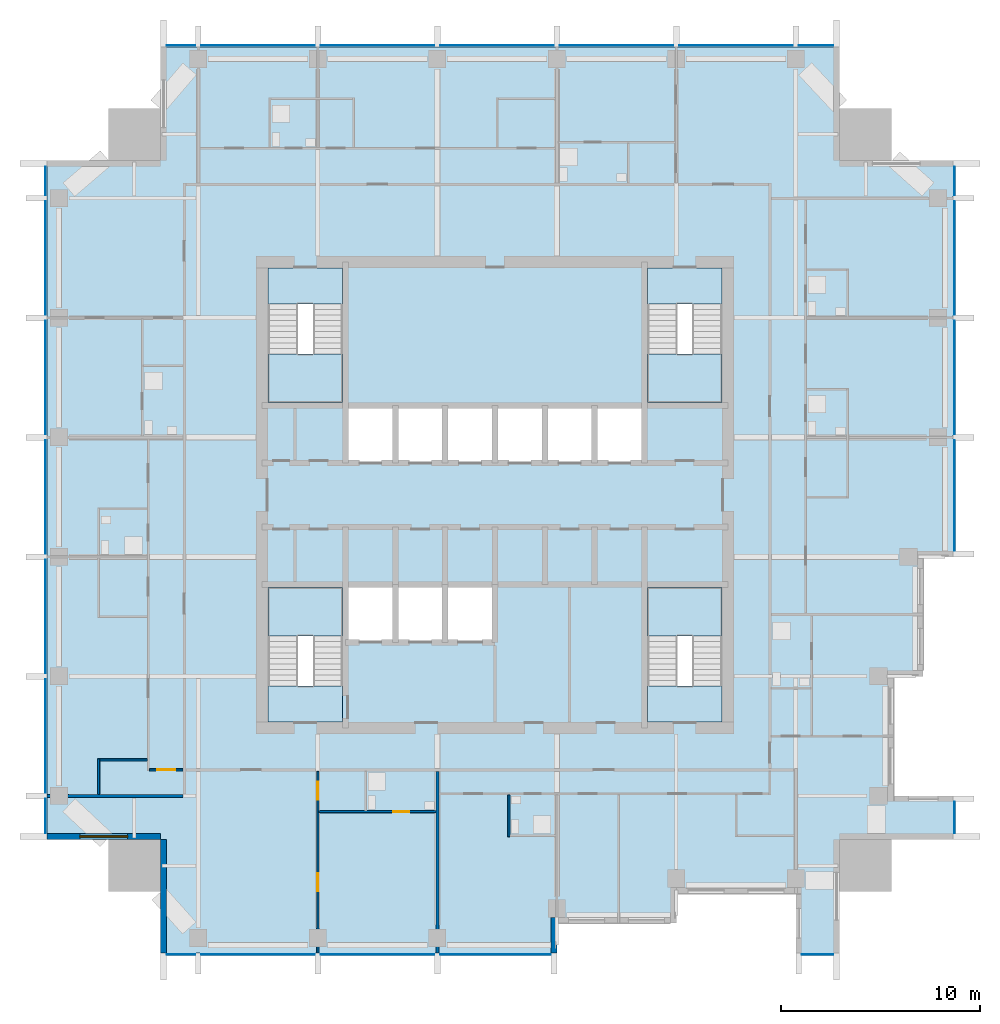
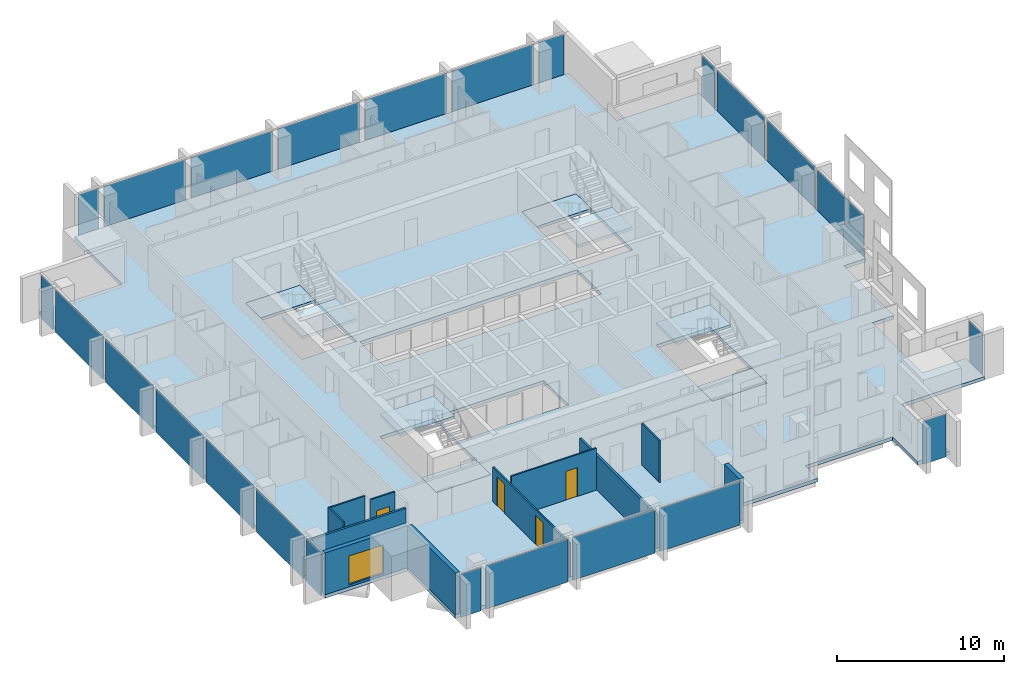
# One storey, part 3 of 12: 24 plates, 11 walls, 9 slabs, 4 doors, 1 window, 5 openings, 10 elements without a shape of their own.
"""IFC4 building model written with IfcOpenShell, lengths in metres."""

from ifc_helpers import new_model, si_unit, direction, frame, frame_2d, origin, origin_2d, place, context, subcontext, project, spatial, polyline, rectangle, outline, extrude, material, layer, layer_set, type_object, element, fill, aggregate, save


model = new_model("IFC4")

# Units and contexts
model_context = context("Model", 3, precision=1e-05, world=origin(), true_north=direction((0.0, 1.0)))
body_context = subcontext(model_context, "Body", "Model", "MODEL_VIEW")
ifc_project = project(units=[si_unit("LENGTHUNIT", "METRE"), si_unit("AREAUNIT", "SQUARE_METRE"), si_unit("VOLUMEUNIT", "CUBIC_METRE"), si_unit("PLANEANGLEUNIT", "RADIAN"), si_unit("MASSUNIT", "GRAM", prefix="KILO")], contexts=[model_context])

# Site, building, storey
site_placement = place(None, origin())
site = spatial("IfcSite", under=ifc_project, at=site_placement, CompositionType="ELEMENT")
building_placement = place(site_placement, origin())
building = spatial("IfcBuilding", under=site, at=building_placement, Name="Amberfall Residences", CompositionType="ELEMENT")
storey_placement = place(building_placement, frame((0.0, 0.0, 187.0)))
storey = spatial("IfcBuildingStorey", under=building, at=storey_placement, Name="L49", CompositionType="ELEMENT", Elevation=187.0)

# Curtain wall, plates
ifc_material_1 = material(Name="Bronze anodised aluminium and glass", Category="aluminium")
curtain_wall_type = type_object("IfcCurtainWallType", Name="Curtain wall CW1 tower unit", PredefinedType="USERDEFINED", material=ifc_material_1)
curtain_wall_1_placement = place(storey_placement, origin())
curtain_wall_1 = element("IfcCurtainWall", 1, at=curtain_wall_1_placement, inside=storey, type_object=curtain_wall_type, Name="Curtain wall L49 S S1", ObjectType="UNITISED CURTAIN WALL", PredefinedType="USERDEFINED")
ifc_material_2 = material(Name="Tinted double glazed unit", Category="glass")
ifc_layer_1 = layer(ifc_material_2, 0.035888671875)
ifc_layer_set_1 = layer_set([ifc_layer_1], Name="CW1 panel 36 glazing")
plate_type = type_object("IfcPlateType", Name="CW1 panel 36 glazing", PredefinedType="CURTAIN_PANEL", material=ifc_layer_set_1)
plate_1_placement = place(storey_placement, frame((58.72509765625, 22.425048828125, -0.25), z_axis=(0.0, 0.0, 1.0), x_axis=(1.0, 0.0, 0.0)))
plate_1 = element("IfcPlate", 2, at=plate_1_placement, type_object=plate_type, Name="CW1 panel 1.1", PredefinedType="CURTAIN_PANEL", context=body_context, shape_type="SweptSolid", body=[
    extrude(rectangle(XDim=1.426025390625, YDim=0.035888671875, at=origin_2d()), origin(), (0.0, 0.0, 1.0), 3.14990234375),
])
plate_2_placement = place(storey_placement, frame((62.60009765625, 22.425048828125, -0.25), z_axis=(0.0, 0.0, 1.0), x_axis=(1.0, 0.0, 0.0)))
plate_2 = element("IfcPlate", 3, at=plate_2_placement, type_object=plate_type, Name="CW1 panel 2.1", PredefinedType="CURTAIN_PANEL", context=body_context, shape_type="SweptSolid", body=[
    extrude(rectangle(XDim=5.676025390625, YDim=0.035888671875, at=origin_2d()), origin(), (0.0, 0.0, 1.0), 3.14990234375),
])
plate_3_placement = place(storey_placement, frame((68.60009765625, 22.425048828125, -0.25), z_axis=(0.0, 0.0, 1.0), x_axis=(1.0, 0.0, 0.0)))
plate_3 = element("IfcPlate", 4, at=plate_3_placement, type_object=plate_type, Name="CW1 panel 3.1", PredefinedType="CURTAIN_PANEL", context=body_context, shape_type="SweptSolid", body=[
    extrude(rectangle(XDim=5.676025390625, YDim=0.035888671875, at=origin_2d()), origin(), (0.0, 0.0, 1.0), 3.14990234375),
])
plate_4_placement = place(storey_placement, frame((74.52490234375, 22.425048828125, -0.25), z_axis=(0.0, 0.0, 1.0), x_axis=(1.0, 0.0, 0.0)))
plate_4 = element("IfcPlate", 5, at=plate_4_placement, type_object=plate_type, Name="CW1 panel 4.1", PredefinedType="CURTAIN_PANEL", context=body_context, shape_type="SweptSolid", body=[
    extrude(rectangle(XDim=5.52587890625, YDim=0.035888671875, at=origin_2d()), origin(), (0.0, 0.0, 1.0), 3.14990234375),
])
aggregate(curtain_wall_1, [plate_1, plate_2, plate_3, plate_4])

# Curtain wall, plate
curtain_wall_2_placement = place(storey_placement, origin())
curtain_wall_2 = element("IfcCurtainWall", 6, at=curtain_wall_2_placement, inside=storey, type_object=curtain_wall_type, Name="Curtain wall L49 S S7", ObjectType="UNITISED CURTAIN WALL", PredefinedType="USERDEFINED")
plate_5_placement = place(storey_placement, frame((90.699951171875, 22.425048828125, -0.25), z_axis=(0.0, 0.0, 1.0), x_axis=(1.0, 0.0, 0.0)))
plate_5 = element("IfcPlate", 7, at=plate_5_placement, type_object=plate_type, Name="CW1 panel 1.1", PredefinedType="CURTAIN_PANEL", context=body_context, shape_type="SweptSolid", body=[
    extrude(rectangle(XDim=1.575927734375, YDim=0.035888671875, at=origin_2d()), origin(), (0.0, 0.0, 1.0), 3.14990234375),
])
aggregate(curtain_wall_2, [plate_5])

curtain_wall_3_placement = place(storey_placement, origin())
curtain_wall_3 = element("IfcCurtainWall", 8, at=curtain_wall_3_placement, inside=storey, type_object=curtain_wall_type, Name="Curtain wall L49 E E1", ObjectType="UNITISED CURTAIN WALL", PredefinedType="USERDEFINED")
plate_6_placement = place(storey_placement, frame((97.574951171875, 29.300048828125, -0.25), z_axis=(0.0, 0.0, 1.0), x_axis=(0.0, 1.0, 0.0)))
plate_6 = element("IfcPlate", 9, at=plate_6_placement, type_object=plate_type, Name="CW1 panel 1.1", PredefinedType="CURTAIN_PANEL", context=body_context, shape_type="SweptSolid", body=[
    extrude(rectangle(XDim=1.575927734375, YDim=0.035888671875, at=origin_2d()), origin(), (0.0, 0.0, 1.0), 3.14990234375),
])
aggregate(curtain_wall_3, [plate_6])

# Curtain wall, plates
curtain_wall_4_placement = place(storey_placement, origin())
curtain_wall_4 = element("IfcCurtainWall", 10, at=curtain_wall_4_placement, inside=storey, type_object=curtain_wall_type, Name="Curtain wall L49 E E7", ObjectType="UNITISED CURTAIN WALL", PredefinedType="USERDEFINED")
plate_7_placement = place(storey_placement, frame((97.574951171875, 45.47509765625, -0.25), z_axis=(0.0, 0.0, 1.0), x_axis=(0.0, 1.0, 0.0)))
plate_7 = element("IfcPlate", 11, at=plate_7_placement, type_object=plate_type, Name="CW1 panel 1.1", PredefinedType="CURTAIN_PANEL", context=body_context, shape_type="SweptSolid", body=[
    extrude(rectangle(XDim=5.52587890625, YDim=0.035888671875, at=origin_2d()), origin(), (0.0, 0.0, 1.0), 3.14990234375),
])
plate_8_placement = place(storey_placement, frame((97.574951171875, 51.39990234375, -0.25), z_axis=(0.0, 0.0, 1.0), x_axis=(0.0, 1.0, 0.0)))
plate_8 = element("IfcPlate", 12, at=plate_8_placement, type_object=plate_type, Name="CW1 panel 2.1", PredefinedType="CURTAIN_PANEL", context=body_context, shape_type="SweptSolid", body=[
    extrude(rectangle(XDim=5.676025390625, YDim=0.035888671875, at=origin_2d()), origin(), (0.0, 0.0, 1.0), 3.14990234375),
])
plate_9_placement = place(storey_placement, frame((97.574951171875, 57.39990234375, -0.25), z_axis=(0.0, 0.0, 1.0), x_axis=(0.0, 1.0, 0.0)))
plate_9 = element("IfcPlate", 13, at=plate_9_placement, type_object=plate_type, Name="CW1 panel 3.1", PredefinedType="CURTAIN_PANEL", context=body_context, shape_type="SweptSolid", body=[
    extrude(rectangle(XDim=5.676025390625, YDim=0.035888671875, at=origin_2d()), origin(), (0.0, 0.0, 1.0), 3.14990234375),
])
plate_10_placement = place(storey_placement, frame((97.574951171875, 61.27490234375, -0.25), z_axis=(0.0, 0.0, 1.0), x_axis=(0.0, 1.0, 0.0)))
plate_10 = element("IfcPlate", 14, at=plate_10_placement, type_object=plate_type, Name="CW1 panel 4.1", PredefinedType="CURTAIN_PANEL", context=body_context, shape_type="SweptSolid", body=[
    extrude(rectangle(XDim=1.426025390625, YDim=0.035888671875, at=origin_2d()), origin(), (0.0, 0.0, 1.0), 3.14990234375),
])
aggregate(curtain_wall_4, [plate_7, plate_8, plate_9, plate_10])

curtain_wall_5_placement = place(storey_placement, origin())
curtain_wall_5 = element("IfcCurtainWall", 15, at=curtain_wall_5_placement, inside=storey, type_object=curtain_wall_type, Name="Curtain wall L49 N N1", ObjectType="UNITISED CURTAIN WALL", PredefinedType="USERDEFINED")
plate_11_placement = place(storey_placement, frame((90.625, 68.074951171875, -0.25), z_axis=(0.0, 0.0, 1.0), x_axis=(-1.0, 0.0, 0.0)))
plate_11 = element("IfcPlate", 16, at=plate_11_placement, type_object=plate_type, Name="CW1 panel 1.1", PredefinedType="CURTAIN_PANEL", context=body_context, shape_type="SweptSolid", body=[
    extrude(rectangle(XDim=1.72607421875, YDim=0.035888671875, at=origin_2d()), origin(), (0.0, 0.0, 1.0), 3.14990234375),
])
plate_12_placement = place(storey_placement, frame((86.60009765625, 68.074951171875, -0.25), z_axis=(0.0, 0.0, 1.0), x_axis=(-1.0, 0.0, 0.0)))
plate_12 = element("IfcPlate", 17, at=plate_12_placement, type_object=plate_type, Name="CW1 panel 2.1", PredefinedType="CURTAIN_PANEL", context=body_context, shape_type="SweptSolid", body=[
    extrude(rectangle(XDim=5.676025390625, YDim=0.035888671875, at=origin_2d()), origin(), (0.0, 0.0, 1.0), 3.14990234375),
])
plate_13_placement = place(storey_placement, frame((80.60009765625, 68.074951171875, -0.25), z_axis=(0.0, 0.0, 1.0), x_axis=(-1.0, 0.0, 0.0)))
plate_13 = element("IfcPlate", 18, at=plate_13_placement, type_object=plate_type, Name="CW1 panel 3.1", PredefinedType="CURTAIN_PANEL", context=body_context, shape_type="SweptSolid", body=[
    extrude(rectangle(XDim=5.676025390625, YDim=0.035888671875, at=origin_2d()), origin(), (0.0, 0.0, 1.0), 3.14990234375),
])
plate_14_placement = place(storey_placement, frame((74.60009765625, 68.074951171875, -0.25), z_axis=(0.0, 0.0, 1.0), x_axis=(-1.0, 0.0, 0.0)))
plate_14 = element("IfcPlate", 19, at=plate_14_placement, type_object=plate_type, Name="CW1 panel 4.1", PredefinedType="CURTAIN_PANEL", context=body_context, shape_type="SweptSolid", body=[
    extrude(rectangle(XDim=5.676025390625, YDim=0.035888671875, at=origin_2d()), origin(), (0.0, 0.0, 1.0), 3.14990234375),
])
plate_15_placement = place(storey_placement, frame((68.60009765625, 68.074951171875, -0.25), z_axis=(0.0, 0.0, 1.0), x_axis=(-1.0, 0.0, 0.0)))
plate_15 = element("IfcPlate", 20, at=plate_15_placement, type_object=plate_type, Name="CW1 panel 5.1", PredefinedType="CURTAIN_PANEL", context=body_context, shape_type="SweptSolid", body=[
    extrude(rectangle(XDim=5.676025390625, YDim=0.035888671875, at=origin_2d()), origin(), (0.0, 0.0, 1.0), 3.14990234375),
])
plate_16_placement = place(storey_placement, frame((62.60009765625, 68.074951171875, -0.25), z_axis=(0.0, 0.0, 1.0), x_axis=(-1.0, 0.0, 0.0)))
plate_16 = element("IfcPlate", 21, at=plate_16_placement, type_object=plate_type, Name="CW1 panel 6.1", PredefinedType="CURTAIN_PANEL", context=body_context, shape_type="SweptSolid", body=[
    extrude(rectangle(XDim=5.676025390625, YDim=0.035888671875, at=origin_2d()), origin(), (0.0, 0.0, 1.0), 3.14990234375),
])
plate_17_placement = place(storey_placement, frame((58.72509765625, 68.074951171875, -0.25), z_axis=(0.0, 0.0, 1.0), x_axis=(-1.0, 0.0, 0.0)))
plate_17 = element("IfcPlate", 22, at=plate_17_placement, type_object=plate_type, Name="CW1 panel 7.1", PredefinedType="CURTAIN_PANEL", context=body_context, shape_type="SweptSolid", body=[
    extrude(rectangle(XDim=1.426025390625, YDim=0.035888671875, at=origin_2d()), origin(), (0.0, 0.0, 1.0), 3.14990234375),
])
aggregate(curtain_wall_5, [plate_11, plate_12, plate_13, plate_14, plate_15, plate_16, plate_17])

curtain_wall_6_placement = place(storey_placement, origin())
curtain_wall_6 = element("IfcCurtainWall", 23, at=curtain_wall_6_placement, inside=storey, type_object=curtain_wall_type, Name="Curtain wall L49 W W1", ObjectType="UNITISED CURTAIN WALL", PredefinedType="USERDEFINED")
plate_18_placement = place(storey_placement, frame((51.925048828125, 61.27490234375, -0.25), z_axis=(0.0, 0.0, 1.0), x_axis=(0.0, -1.0, 0.0)))
plate_18 = element("IfcPlate", 24, at=plate_18_placement, type_object=plate_type, Name="CW1 panel 1.1", PredefinedType="CURTAIN_PANEL", context=body_context, shape_type="SweptSolid", body=[
    extrude(rectangle(XDim=1.426025390625, YDim=0.035888671875, at=origin_2d()), origin(), (0.0, 0.0, 1.0), 3.14990234375),
])
plate_19_placement = place(storey_placement, frame((51.925048828125, 57.39990234375, -0.25), z_axis=(0.0, 0.0, 1.0), x_axis=(0.0, -1.0, 0.0)))
plate_19 = element("IfcPlate", 25, at=plate_19_placement, type_object=plate_type, Name="CW1 panel 2.1", PredefinedType="CURTAIN_PANEL", context=body_context, shape_type="SweptSolid", body=[
    extrude(rectangle(XDim=5.676025390625, YDim=0.035888671875, at=origin_2d()), origin(), (0.0, 0.0, 1.0), 3.14990234375),
])
plate_20_placement = place(storey_placement, frame((51.925048828125, 51.39990234375, -0.25), z_axis=(0.0, 0.0, 1.0), x_axis=(0.0, -1.0, 0.0)))
plate_20 = element("IfcPlate", 26, at=plate_20_placement, type_object=plate_type, Name="CW1 panel 3.1", PredefinedType="CURTAIN_PANEL", context=body_context, shape_type="SweptSolid", body=[
    extrude(rectangle(XDim=5.676025390625, YDim=0.035888671875, at=origin_2d()), origin(), (0.0, 0.0, 1.0), 3.14990234375),
])
plate_21_placement = place(storey_placement, frame((51.925048828125, 45.39990234375, -0.25), z_axis=(0.0, 0.0, 1.0), x_axis=(0.0, -1.0, 0.0)))
plate_21 = element("IfcPlate", 27, at=plate_21_placement, type_object=plate_type, Name="CW1 panel 4.1", PredefinedType="CURTAIN_PANEL", context=body_context, shape_type="SweptSolid", body=[
    extrude(rectangle(XDim=5.676025390625, YDim=0.035888671875, at=origin_2d()), origin(), (0.0, 0.0, 1.0), 3.14990234375),
])
plate_22_placement = place(storey_placement, frame((51.925048828125, 39.39990234375, -0.25), z_axis=(0.0, 0.0, 1.0), x_axis=(0.0, -1.0, 0.0)))
plate_22 = element("IfcPlate", 28, at=plate_22_placement, type_object=plate_type, Name="CW1 panel 5.1", PredefinedType="CURTAIN_PANEL", context=body_context, shape_type="SweptSolid", body=[
    extrude(rectangle(XDim=5.676025390625, YDim=0.035888671875, at=origin_2d()), origin(), (0.0, 0.0, 1.0), 3.14990234375),
])
plate_23_placement = place(storey_placement, frame((51.925048828125, 33.39990234375, -0.25), z_axis=(0.0, 0.0, 1.0), x_axis=(0.0, -1.0, 0.0)))
plate_23 = element("IfcPlate", 29, at=plate_23_placement, type_object=plate_type, Name="CW1 panel 6.1", PredefinedType="CURTAIN_PANEL", context=body_context, shape_type="SweptSolid", body=[
    extrude(rectangle(XDim=5.676025390625, YDim=0.035888671875, at=origin_2d()), origin(), (0.0, 0.0, 1.0), 3.14990234375),
])
plate_24_placement = place(storey_placement, frame((51.925048828125, 29.375, -0.25), z_axis=(0.0, 0.0, 1.0), x_axis=(0.0, -1.0, 0.0)))
plate_24 = element("IfcPlate", 30, at=plate_24_placement, type_object=plate_type, Name="CW1 panel 7.1", PredefinedType="CURTAIN_PANEL", context=body_context, shape_type="SweptSolid", body=[
    extrude(rectangle(XDim=1.72607421875, YDim=0.035888671875, at=origin_2d()), origin(), (0.0, 0.0, 1.0), 3.14990234375),
])
aggregate(curtain_wall_6, [plate_18, plate_19, plate_20, plate_21, plate_22, plate_23, plate_24])

# Slab
ifc_material_3 = material(Name="Concrete C55", Category="concrete")
ifc_layer_2 = layer(ifc_material_3, 0.25)
ifc_layer_set_2 = layer_set([ifc_layer_2], Name="Floor slab 250 C55")
slab_type_1 = type_object("IfcSlabType", Name="Floor slab 250 C55", PredefinedType="FLOOR", material=ifc_layer_set_2)
slab_1_placement = place(storey_placement, frame((0.0, 0.0, -0.25)))
element("IfcSlab", 31, at=slab_1_placement, inside=storey, type_object=slab_type_1, Name="Floor slab S16 L49", PredefinedType="FLOOR", context=body_context, shape_type="SweptSolid", body=[
    extrude(outline(polyline([(89.60009765625, 22.5), (89.60009765625, 25.5), (83.60009765625, 25.5), (83.60009765625, 24.0), (77.60009765625, 24.0), (77.60009765625, 22.5), (57.699951171875, 22.5), (57.699951171875, 28.199951171875), (52.0, 28.199951171875), (52.0, 62.300048828125), (57.699951171875, 62.300048828125), (57.699951171875, 68.0), (91.800048828125, 68.0), (91.800048828125, 62.300048828125), (97.5, 62.300048828125), (97.5, 42.39990234375), (96.0, 42.39990234375), (96.0, 36.39990234375), (94.5, 36.39990234375), (94.5, 30.39990234375), (97.5, 30.39990234375), (97.5, 28.199951171875), (91.800048828125, 28.199951171875), (91.800048828125, 22.5), (89.60009765625, 22.5)]), holes=[polyline([(85.89990234375, 34.10009765625), (85.89990234375, 40.85009765625), (82.14990234375, 40.85009765625), (82.14990234375, 34.10009765625), (85.89990234375, 34.10009765625)]), polyline([(85.89990234375, 50.14990234375), (85.89990234375, 56.89990234375), (82.14990234375, 56.89990234375), (82.14990234375, 50.14990234375), (85.89990234375, 50.14990234375)]), polyline([(67.0, 50.0), (67.0, 47.10009765625), (69.5, 47.10009765625), (72.0, 47.10009765625), (74.5, 47.10009765625), (77.0, 47.10009765625), (79.5, 47.10009765625), (82.0, 47.10009765625), (82.0, 50.0), (79.5, 50.0), (77.0, 50.0), (74.5, 50.0), (72.0, 50.0), (69.5, 50.0), (67.0, 50.0)]), polyline([(69.5, 41.0), (67.0, 41.0), (67.0, 38.10009765625), (69.5, 38.10009765625), (72.0, 38.10009765625), (74.5, 38.10009765625), (74.5, 41.0), (72.0, 41.0), (69.5, 41.0)]), polyline([(66.85009765625, 40.85009765625), (63.10009765625, 40.85009765625), (63.10009765625, 34.10009765625), (66.85009765625, 34.10009765625), (66.85009765625, 40.85009765625)]), polyline([(66.85009765625, 56.89990234375), (63.10009765625, 56.89990234375), (63.10009765625, 50.14990234375), (66.85009765625, 50.14990234375), (66.85009765625, 56.89990234375)])]), origin(), (0.0, 0.0, 1.0), 0.25),
])

# Stair, slabs
ifc_material_4 = material(Name="Concrete C40", Category="concrete")
stair_type = type_object("IfcStairType", Name="Exit stair 20 risers 165.0 mm", PredefinedType="HALF_TURN_STAIR", material=ifc_material_4)
stair_1_placement = place(storey_placement, origin())
stair_1 = element("IfcStair", 32, at=stair_1_placement, inside=storey, type_object=stair_type, Name="L49 Exit stair 1", PredefinedType="HALF_TURN_STAIR")
ifc_layer_3 = layer(ifc_material_4, 0.199951171875)
ifc_layer_set_3 = layer_set([ifc_layer_3], Name="Stair landing 200")
slab_type_2 = type_object("IfcSlabType", Name="Stair landing 200", PredefinedType="LANDING", material=ifc_layer_set_3)
slab_2_placement = place(storey_placement, frame((0.0, 0.0, 1.449951171875)))
slab_2 = element("IfcSlab", 33, at=slab_2_placement, type_object=slab_type_2, Name="ST3 landing 1", PredefinedType="LANDING", context=body_context, shape_type="SweptSolid", body=[
    extrude(outline(polyline([(66.85009765625, 38.419921875), (66.85009765625, 40.85009765625), (63.10009765625, 40.85009765625), (63.10009765625, 38.419921875), (66.85009765625, 38.419921875)])), origin(), (0.0, 0.0, 1.0), 0.199951171875),
])
slab_3_placement = place(storey_placement, frame((0.0, 0.0, -0.199951171875)))
slab_3 = element("IfcSlab", 34, at=slab_3_placement, type_object=slab_type_2, Name="ST3 landing 2", PredefinedType="LANDING", context=body_context, shape_type="SweptSolid", body=[
    extrude(outline(polyline([(66.85009765625, 34.10009765625), (66.85009765625, 35.89990234375), (63.10009765625, 35.89990234375), (63.10009765625, 34.10009765625), (66.85009765625, 34.10009765625)])), origin(), (0.0, 0.0, 1.0), 0.199951171875),
])
aggregate(stair_1, [slab_2, slab_3])

stair_2_placement = place(storey_placement, origin())
stair_2 = element("IfcStair", 35, at=stair_2_placement, inside=storey, type_object=stair_type, Name="L49 Exit stair 2", PredefinedType="HALF_TURN_STAIR")
slab_4_placement = place(storey_placement, frame((0.0, 0.0, 1.449951171875)))
slab_4 = element("IfcSlab", 36, at=slab_4_placement, type_object=slab_type_2, Name="ST3 landing 1", PredefinedType="LANDING", context=body_context, shape_type="SweptSolid", body=[
    extrude(outline(polyline([(85.89990234375, 38.419921875), (85.89990234375, 40.85009765625), (82.14990234375, 40.85009765625), (82.14990234375, 38.419921875), (85.89990234375, 38.419921875)])), origin(), (0.0, 0.0, 1.0), 0.199951171875),
])
slab_5_placement = place(storey_placement, frame((0.0, 0.0, -0.199951171875)))
slab_5 = element("IfcSlab", 37, at=slab_5_placement, type_object=slab_type_2, Name="ST3 landing 2", PredefinedType="LANDING", context=body_context, shape_type="SweptSolid", body=[
    extrude(outline(polyline([(85.89990234375, 34.10009765625), (85.89990234375, 35.89990234375), (82.14990234375, 35.89990234375), (82.14990234375, 34.10009765625), (85.89990234375, 34.10009765625)])), origin(), (0.0, 0.0, 1.0), 0.199951171875),
])
aggregate(stair_2, [slab_4, slab_5])

stair_3_placement = place(storey_placement, origin())
stair_3 = element("IfcStair", 38, at=stair_3_placement, inside=storey, type_object=stair_type, Name="L49 Exit stair 3", PredefinedType="HALF_TURN_STAIR")
slab_6_placement = place(storey_placement, frame((0.0, 0.0, 1.449951171875)))
slab_6 = element("IfcSlab", 39, at=slab_6_placement, type_object=slab_type_2, Name="ST3 landing 1", PredefinedType="LANDING", context=body_context, shape_type="SweptSolid", body=[
    extrude(outline(polyline([(82.14990234375, 52.580078125), (82.14990234375, 50.14990234375), (85.89990234375, 50.14990234375), (85.89990234375, 52.580078125), (82.14990234375, 52.580078125)])), origin(), (0.0, 0.0, 1.0), 0.199951171875),
])
slab_7_placement = place(storey_placement, frame((0.0, 0.0, -0.199951171875)))
slab_7 = element("IfcSlab", 40, at=slab_7_placement, type_object=slab_type_2, Name="ST3 landing 2", PredefinedType="LANDING", context=body_context, shape_type="SweptSolid", body=[
    extrude(outline(polyline([(82.14990234375, 56.89990234375), (82.14990234375, 55.10009765625), (85.89990234375, 55.10009765625), (85.89990234375, 56.89990234375), (82.14990234375, 56.89990234375)])), origin(), (0.0, 0.0, 1.0), 0.199951171875),
])
aggregate(stair_3, [slab_6, slab_7])

stair_4_placement = place(storey_placement, origin())
stair_4 = element("IfcStair", 41, at=stair_4_placement, inside=storey, type_object=stair_type, Name="L49 Exit stair 4", PredefinedType="HALF_TURN_STAIR")
slab_8_placement = place(storey_placement, frame((0.0, 0.0, 1.449951171875)))
slab_8 = element("IfcSlab", 42, at=slab_8_placement, type_object=slab_type_2, Name="ST3 landing 1", PredefinedType="LANDING", context=body_context, shape_type="SweptSolid", body=[
    extrude(outline(polyline([(63.10009765625, 52.580078125), (63.10009765625, 50.14990234375), (66.85009765625, 50.14990234375), (66.85009765625, 52.580078125), (63.10009765625, 52.580078125)])), origin(), (0.0, 0.0, 1.0), 0.199951171875),
])
slab_9_placement = place(storey_placement, frame((0.0, 0.0, -0.199951171875)))
slab_9 = element("IfcSlab", 43, at=slab_9_placement, type_object=slab_type_2, Name="ST3 landing 2", PredefinedType="LANDING", context=body_context, shape_type="SweptSolid", body=[
    extrude(outline(polyline([(63.10009765625, 56.89990234375), (63.10009765625, 55.10009765625), (66.85009765625, 55.10009765625), (66.85009765625, 56.89990234375), (63.10009765625, 56.89990234375)])), origin(), (0.0, 0.0, 1.0), 0.199951171875),
])
aggregate(stair_4, [slab_8, slab_9])

# Wall
ifc_material_5 = material(Name="Pale stone cladding on insulated backing", Category="masonry")
ifc_layer_4 = layer(ifc_material_5, 0.300048828125)
ifc_layer_set_4 = layer_set([ifc_layer_4], Name="Bronze clad wall 300")
wall_type_1 = type_object("IfcWallType", Name="Bronze clad wall 300", PredefinedType="SOLIDWALL", material=ifc_layer_set_4)
wall_1_placement = place(storey_placement, frame((77.449951171875, 22.5, 0.0), z_axis=(0.0, 0.0, 1.0), x_axis=(0.0, 1.0, 0.0)))
element("IfcWall", 44, at=wall_1_placement, inside=storey, type_object=wall_type_1, Name="External wall L49 S", PredefinedType="SOLIDWALL", context=body_context, shape_type="SweptSolid", body=[
    extrude(rectangle(XDim=1.800048828125, YDim=0.300048828125, at=frame_2d((0.89990234375, 0.0))), origin(), (0.0, 0.0, 1.0), 3.050048828125),
])

# Wall, opening, window
wall_2_placement = place(storey_placement, frame((52.0, 28.35009765625, 0.0), z_axis=(0.0, 0.0, 1.0), x_axis=(1.0, 0.0, 0.0)))
wall_2 = element("IfcWall", 45, at=wall_2_placement, inside=storey, type_object=wall_type_1, Name="External wall L49 SW", PredefinedType="SOLIDWALL", context=body_context, shape_type="SweptSolid", body=[
    extrude(rectangle(XDim=5.699951171875, YDim=0.300048828125, at=frame_2d((2.85009765625, 0.0))), origin(), (0.0, 0.0, 1.0), 3.050048828125),
])
opening_1_placement = place(wall_2_placement, frame((1.64990234375, 0.0, 0.14990234375)))
opening_1 = element("IfcOpeningElement", 46, at=opening_1_placement, cuts=wall_2, Name="Opening WN5", PredefinedType="OPENING", context=body_context, shape_type="SweptSolid", body=[
    extrude(rectangle(XDim=2.39990234375, YDim=2.10009765625, at=frame_2d((1.199951171875, 1.050048828125))), frame((0.0, 0.159912109375, 0.0), z_axis=(0.0, -1.0, 0.0), x_axis=(1.0, 0.0, 0.0)), (0.0, 0.0, 1.0), 0.320068359375),
])
ifc_material_6 = material(Name="Bronze aluminium framed glazing", Category="aluminium")
window_type = type_object("IfcWindowType", Name="Glazed opening 2400 x 2100 bronze", PartitioningType="DOUBLE_PANEL_VERTICAL", PredefinedType="WINDOW", material=ifc_material_6)
window_placement = place(opening_1_placement, origin())
window = element("IfcWindow", 47, at=window_placement, inside=storey, type_object=window_type, Name="Window L49 SW", OverallHeight=2.10009765625, OverallWidth=2.39990234375, PartitioningType="DOUBLE_PANEL_VERTICAL", PredefinedType="WINDOW", context=body_context, shape_type="SweptSolid", body=[
    extrude(rectangle(XDim=2.39990234375, YDim=2.10009765625, at=frame_2d((1.199951171875, 1.050048828125))), frame((0.0, 0.030029296875, 0.0), z_axis=(0.0, -1.0, 0.0), x_axis=(1.0, 0.0, 0.0)), (0.0, 0.0, 1.0), 0.06005859375),
])
fill(opening_1, window)

# Walls
wall_3_placement = place(storey_placement, frame((57.85009765625, 28.199951171875, 0.0), z_axis=(0.0, 0.0, 1.0), x_axis=(0.0, -1.0, 0.0)))
element("IfcWall", 48, at=wall_3_placement, inside=storey, type_object=wall_type_1, Name="External wall L49 SW", PredefinedType="SOLIDWALL", context=body_context, shape_type="SweptSolid", body=[
    extrude(rectangle(XDim=5.699951171875, YDim=0.300048828125, at=frame_2d((2.85009765625, 0.0))), origin(), (0.0, 0.0, 1.0), 3.050048828125),
])
ifc_material_7 = material(Name="Gypsum board on metal stud")
ifc_layer_5 = layer(ifc_material_7, 0.10009765625)
ifc_layer_set_5 = layer_set([ifc_layer_5], Name="Flat partition 100")
wall_type_2 = type_object("IfcWallType", Name="Flat partition 100", PredefinedType="PARTITIONING", material=ifc_layer_set_5)
wall_4_placement = place(storey_placement, frame((54.60009765625, 30.47509765625, 0.0), z_axis=(0.0, 0.0, 1.0), x_axis=(0.0, 1.0, 0.0)))
element("IfcWall", 49, at=wall_4_placement, inside=storey, type_object=wall_type_2, Name="Partition 001", PredefinedType="PARTITIONING", context=body_context, shape_type="SweptSolid", body=[
    extrude(rectangle(XDim=1.77490234375, YDim=0.10009765625, at=frame_2d((0.887451171875, 0.0))), origin(), (0.0, 0.0, 1.0), 3.050048828125),
])

# Wall, openings, doors
wall_5_placement = place(storey_placement, frame((65.60009765625, 31.625, 0.0), z_axis=(0.0, 0.0, 1.0), x_axis=(0.0, -1.0, 0.0)))
wall_5 = element("IfcWall", 50, at=wall_5_placement, inside=storey, type_object=wall_type_2, Name="Partition 006", PredefinedType="PARTITIONING", context=body_context, shape_type="SweptSolid", body=[
    extrude(rectangle(XDim=9.125, YDim=0.10009765625, at=frame_2d((4.5625, 0.0))), origin(), (0.0, 0.0, 1.0), 2.51611328125),
])
opening_2_placement = place(wall_5_placement, frame((0.52490234375, 0.0, 0.0)))
opening_2 = element("IfcOpeningElement", 51, at=opening_2_placement, cuts=wall_5, Name="Opening D41", PredefinedType="OPENING", context=body_context, shape_type="SweptSolid", body=[
    extrude(rectangle(XDim=0.89990234375, YDim=2.10009765625, at=frame_2d((0.449951171875, 1.050048828125))), frame((0.0, 0.06005859375, 0.0), z_axis=(0.0, -1.0, 0.0), x_axis=(1.0, 0.0, 0.0)), (0.0, 0.0, 1.0), 0.1201171875),
])
opening_3_placement = place(wall_5_placement, frame((5.125, 0.0, 0.0)))
opening_3 = element("IfcOpeningElement", 52, at=opening_3_placement, cuts=wall_5, Name="Opening D41", PredefinedType="OPENING", context=body_context, shape_type="SweptSolid", body=[
    extrude(rectangle(XDim=0.89990234375, YDim=2.10009765625, at=frame_2d((0.449951171875, 1.050048828125))), frame((0.0, 0.06005859375, 0.0), z_axis=(0.0, -1.0, 0.0), x_axis=(1.0, 0.0, 0.0)), (0.0, 0.0, 1.0), 0.1201171875),
])
ifc_material_8 = material(Name="Timber", Category="wood")
door_type_1 = type_object("IfcDoorType", Name="Internal door 900 x 2100", OperationType="SINGLE_SWING_LEFT", PredefinedType="DOOR", material=ifc_material_8)
door_1_placement = place(opening_2_placement, origin())
door_1 = element("IfcDoor", 53, at=door_1_placement, inside=storey, type_object=door_type_1, Name="Door 4901 kitchen", OperationType="SINGLE_SWING_LEFT", OverallHeight=2.10009765625, OverallWidth=0.89990234375, PredefinedType="DOOR", context=body_context, shape_type="SweptSolid", body=[
    extrude(rectangle(XDim=0.89990234375, YDim=2.10009765625, at=frame_2d((0.449951171875, 1.050048828125))), frame((0.0, 0.02490234375, 0.0), z_axis=(0.0, -1.0, 0.0), x_axis=(1.0, 0.0, 0.0)), (0.0, 0.0, 1.0), 0.050048828125),
])
fill(opening_2, door_1)
door_2_placement = place(opening_3_placement, origin())
door_2 = element("IfcDoor", 54, at=door_2_placement, inside=storey, type_object=door_type_1, Name="Door 4901 bedroom1", OperationType="SINGLE_SWING_LEFT", OverallHeight=2.10009765625, OverallWidth=0.89990234375, PredefinedType="DOOR", context=body_context, shape_type="SweptSolid", body=[
    extrude(rectangle(XDim=0.89990234375, YDim=2.10009765625, at=frame_2d((0.449951171875, 1.050048828125))), frame((0.0, 0.02490234375, 0.0), z_axis=(0.0, -1.0, 0.0), x_axis=(1.0, 0.0, 0.0)), (0.0, 0.0, 1.0), 0.050048828125),
])
fill(opening_3, door_2)

# Walls
wall_6_placement = place(storey_placement, frame((75.199951171875, 28.35009765625, 0.0), z_axis=(0.0, 0.0, 1.0), x_axis=(0.0, 1.0, 0.0)))
element("IfcWall", 55, at=wall_6_placement, inside=storey, type_object=wall_type_2, Name="Partition 011", PredefinedType="PARTITIONING", context=body_context, shape_type="SweptSolid", body=[
    extrude(rectangle(XDim=2.099853515625, YDim=0.10009765625, at=frame_2d((1.0498046875, 0.0))), origin(), (0.0, 0.0, 1.0), 3.050048828125),
])
wall_7_placement = place(storey_placement, frame((54.64990234375, 32.199951171875, 0.0), z_axis=(0.0, 0.0, 1.0), x_axis=(1.0, 0.0, 0.0)))
element("IfcWall", 56, at=wall_7_placement, inside=storey, type_object=wall_type_2, Name="Partition 038", PredefinedType="PARTITIONING", context=body_context, shape_type="SweptSolid", body=[
    extrude(rectangle(XDim=2.400146484375, YDim=0.10009765625, at=frame_2d((1.2001953125, 0.0))), origin(), (0.0, 0.0, 1.0), 3.050048828125),
])

# Wall, opening, door
wall_8_placement = place(storey_placement, frame((58.824951171875, 31.699951171875, 0.0), z_axis=(0.0, 0.0, 1.0), x_axis=(-1.0, 0.0, 0.0)))
wall_8 = element("IfcWall", 57, at=wall_8_placement, inside=storey, type_object=wall_type_2, Name="Partition 039", PredefinedType="PARTITIONING", context=body_context, shape_type="SweptSolid", body=[
    extrude(rectangle(XDim=1.675048828125, YDim=0.10009765625, at=frame_2d((0.83740234375, 0.0))), origin(), (0.0, 0.0, 1.0), 3.050048828125),
])
opening_4_placement = place(wall_8_placement, frame((0.375, 0.0, 0.0)))
opening_4 = element("IfcOpeningElement", 58, at=opening_4_placement, cuts=wall_8, Name="Opening D41", PredefinedType="OPENING", context=body_context, shape_type="SweptSolid", body=[
    extrude(rectangle(XDim=0.89990234375, YDim=2.10009765625, at=frame_2d((0.449951171875, 1.050048828125))), frame((0.0, 0.06005859375, 0.0), z_axis=(0.0, -1.0, 0.0), x_axis=(1.0, 0.0, 0.0)), (0.0, 0.0, 1.0), 0.1201171875),
])
door_3_placement = place(opening_4_placement, origin())
door_3 = element("IfcDoor", 59, at=door_3_placement, inside=storey, type_object=door_type_1, Name="Door 4907 store", OperationType="SINGLE_SWING_LEFT", OverallHeight=2.10009765625, OverallWidth=0.89990234375, PredefinedType="DOOR", context=body_context, shape_type="SweptSolid", body=[
    extrude(rectangle(XDim=0.89990234375, YDim=2.10009765625, at=frame_2d((0.449951171875, 1.050048828125))), frame((0.0, 0.02490234375, 0.0), z_axis=(0.0, -1.0, 0.0), x_axis=(1.0, 0.0, 0.0)), (0.0, 0.0, 1.0), 0.050048828125),
])
fill(opening_4, door_3)

wall_9_placement = place(storey_placement, frame((65.64990234375, 29.60009765625, 0.0), z_axis=(0.0, 0.0, 1.0), x_axis=(1.0, 0.0, 0.0)))
wall_9 = element("IfcWall", 60, at=wall_9_placement, inside=storey, type_object=wall_type_2, Name="Partition 041", PredefinedType="PARTITIONING", context=body_context, shape_type="SweptSolid", body=[
    extrude(rectangle(XDim=5.875, YDim=0.10009765625, at=frame_2d((2.9375, 0.0))), origin(), (0.0, 0.0, 1.0), 3.050048828125),
])
opening_5_placement = place(wall_9_placement, frame((3.75, 0.0, 0.0)))
opening_5 = element("IfcOpeningElement", 61, at=opening_5_placement, cuts=wall_9, Name="Opening D42", PredefinedType="OPENING", context=body_context, shape_type="SweptSolid", body=[
    extrude(rectangle(XDim=0.800048828125, YDim=2.10009765625, at=frame_2d((0.39990234375, 1.050048828125))), frame((0.0, 0.06005859375, 0.0), z_axis=(0.0, -1.0, 0.0), x_axis=(1.0, 0.0, 0.0)), (0.0, 0.0, 1.0), 0.1201171875),
])
door_type_2 = type_object("IfcDoorType", Name="Bathroom door 800 x 2100", OperationType="SINGLE_SWING_LEFT", PredefinedType="DOOR", material=ifc_material_8)
door_4_placement = place(opening_5_placement, origin())
door_4 = element("IfcDoor", 62, at=door_4_placement, inside=storey, type_object=door_type_2, Name="Door 4901 bath1", OperationType="SINGLE_SWING_LEFT", OverallHeight=2.10009765625, OverallWidth=0.800048828125, PredefinedType="DOOR", context=body_context, shape_type="SweptSolid", body=[
    extrude(rectangle(XDim=0.800048828125, YDim=2.10009765625, at=frame_2d((0.39990234375, 1.050048828125))), frame((0.0, 0.02490234375, 0.0), z_axis=(0.0, -1.0, 0.0), x_axis=(1.0, 0.0, 0.0)), (0.0, 0.0, 1.0), 0.050048828125),
])
fill(opening_5, door_4)

# Walls
ifc_material_9 = material(Name="Blockwork, plastered", Category="masonry")
ifc_layer_6 = layer(ifc_material_9, 0.14990234375)
ifc_layer_set_6 = layer_set([ifc_layer_6], Name="Flat separating wall 150")
wall_type_3 = type_object("IfcWallType", Name="Flat separating wall 150", PredefinedType="PARTITIONING", material=ifc_layer_set_6)
wall_10_placement = place(storey_placement, frame((71.60009765625, 22.5, 0.0), z_axis=(0.0, 0.0, 1.0), x_axis=(0.0, 1.0, 0.0)))
element("IfcWall", 63, at=wall_10_placement, inside=storey, type_object=wall_type_3, Name="Separating wall 046", PredefinedType="PARTITIONING", context=body_context, shape_type="SweptSolid", body=[
    extrude(rectangle(XDim=9.125, YDim=0.14990234375, at=frame_2d((4.5625, 0.0))), origin(), (0.0, 0.0, 1.0), 2.51611328125),
])
wall_11_placement = place(storey_placement, frame((52.0, 30.39990234375, 0.0), z_axis=(0.0, 0.0, 1.0), x_axis=(1.0, 0.0, 0.0)))
element("IfcWall", 64, at=wall_11_placement, inside=storey, type_object=wall_type_3, Name="Separating wall 055", PredefinedType="PARTITIONING", context=body_context, shape_type="SweptSolid", body=[
    extrude(rectangle(XDim=6.824951171875, YDim=0.14990234375, at=frame_2d((3.41259765625, 0.0))), origin(), (0.0, 0.0, 1.0), 2.64697265625),
])

save(model, "model.ifc")
